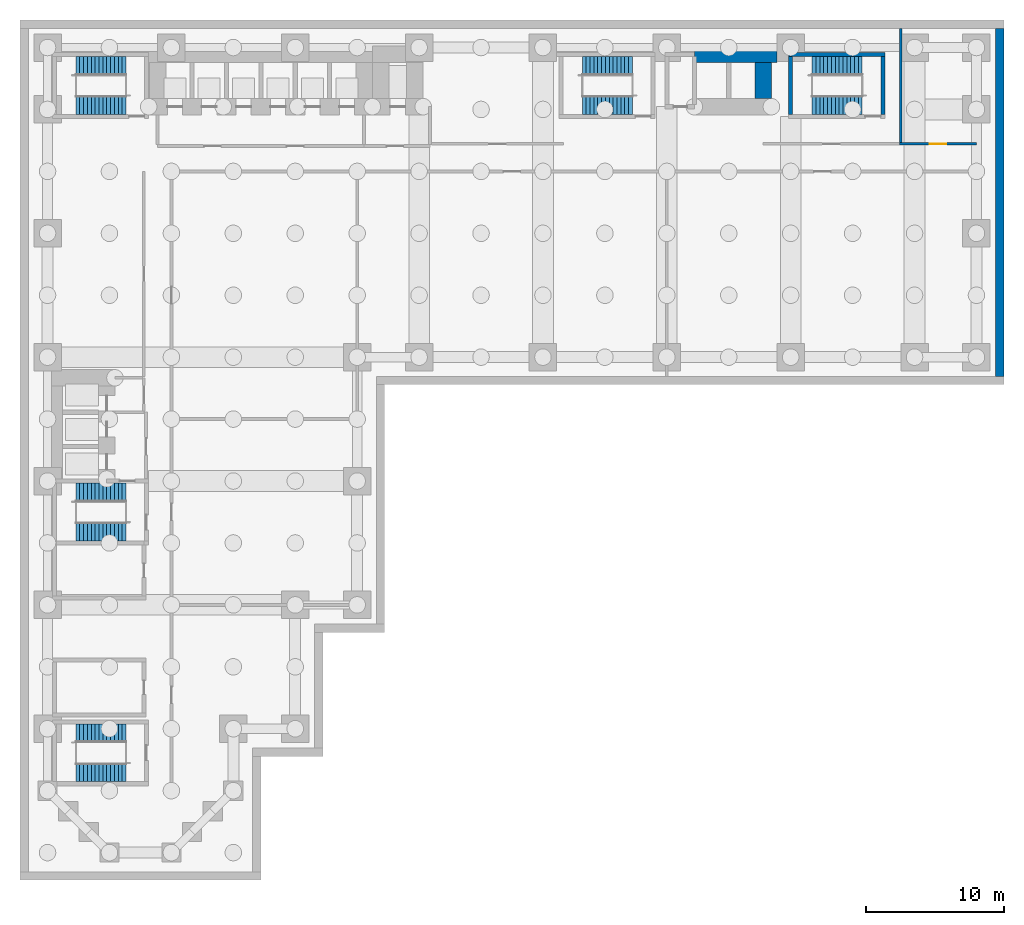
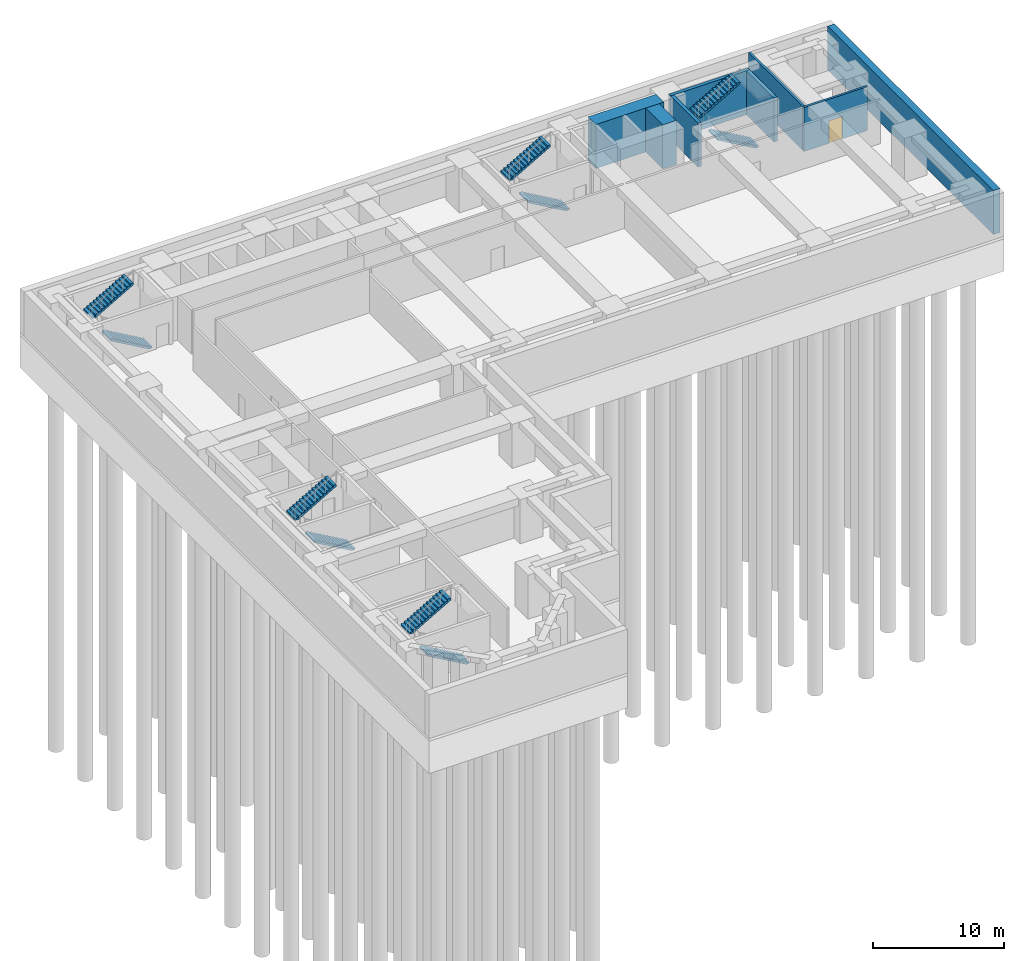
# One storey, part 5 of 7: 10 stair flights, 8 walls, 1 door, 1 opening, 5 elements without a shape of their own.
"""IFC4 building model written with IfcOpenShell, lengths in metres."""

from ifc_helpers import new_model, si_unit, direction, frame, frame_2d, origin, place, context, subcontext, project, spatial, polyline, rectangle, outline, extrude, material, layer, layer_set, type_object, element, fill, aggregate, save


model = new_model("IFC4")

# Units and contexts
model_context = context("Model", 3, precision=1e-05, world=origin(), true_north=direction((0.0, 1.0)))
body_context = subcontext(model_context, "Body", "Model", "MODEL_VIEW")
ifc_project = project(units=[si_unit("LENGTHUNIT", "METRE"), si_unit("AREAUNIT", "SQUARE_METRE"), si_unit("VOLUMEUNIT", "CUBIC_METRE"), si_unit("PLANEANGLEUNIT", "RADIAN"), si_unit("MASSUNIT", "GRAM", prefix="KILO")], contexts=[model_context])

# Site, building, storey
site_placement = place(None, origin())
site = spatial("IfcSite", under=ifc_project, at=site_placement, CompositionType="ELEMENT")
building_placement = place(site_placement, origin())
building = spatial("IfcBuilding", under=site, at=building_placement, Name="Firuza Court", CompositionType="ELEMENT")
storey_placement = place(building_placement, frame((0.0, 0.0, -9.0)))
storey = spatial("IfcBuildingStorey", under=building, at=storey_placement, Name="B2", CompositionType="ELEMENT", Elevation=-9.0)

# Walls
ifc_material_1 = material(Name="Concrete C35/45", Category="concrete")
ifc_layer_1 = layer(ifc_material_1, 1.199951171875)
ifc_layer_set_1 = layer_set([ifc_layer_1], Name="Concrete C35/45")
wall_type_1 = type_object("IfcWallType", Name="Basement core wall 1200", PredefinedType="SHEAR", material=ifc_layer_set_1)
wall_1_placement = place(storey_placement, frame((47.0, 58.0, 0.0), z_axis=(0.0, 0.0, 1.0), x_axis=(1.0, 0.0, 0.0)))
element("IfcWall", 1, at=wall_1_placement, inside=storey, type_object=wall_type_1, Name="Core wall B2 025", PredefinedType="SHEAR", context=body_context, shape_type="SweptSolid", body=[
    extrude(rectangle(XDim=6.0, YDim=1.199951171875, at=frame_2d((3.0, 0.0))), origin(), (0.0, 0.0, 1.0), 4.10009765625),
])
wall_2_placement = place(storey_placement, frame((52.0, 54.800048828125, 0.0), z_axis=(0.0, 0.0, 1.0), x_axis=(0.0, 1.0, 0.0)))
element("IfcWall", 2, at=wall_2_placement, inside=storey, type_object=wall_type_1, Name="Core wall B2 053", PredefinedType="SHEAR", context=body_context, shape_type="SweptSolid", body=[
    extrude(rectangle(XDim=2.599853515625, YDim=1.199951171875, at=frame_2d((1.2998046875, 0.0))), origin(), (0.0, 0.0, 1.0), 4.10009765625),
])
ifc_layer_2 = layer(ifc_material_1, 0.300048828125)
ifc_layer_set_2 = layer_set([ifc_layer_2], Name="Concrete C35/45")
wall_type_2 = type_object("IfcWallType", Name="Basement core wall 300", PredefinedType="SHEAR", material=ifc_layer_set_2)
wall_3_placement = place(storey_placement, frame((53.85009765625, 58.0, 0.0), z_axis=(0.0, 0.0, 1.0), x_axis=(1.0, 0.0, 0.0)))
element("IfcWall", 3, at=wall_3_placement, inside=storey, type_object=wall_type_2, Name="Core wall B2 026", PredefinedType="SHEAR", context=body_context, shape_type="SweptSolid", body=[
    extrude(rectangle(XDim=7.0, YDim=0.300048828125, at=frame_2d((3.5, 0.0))), origin(), (0.0, 0.0, 1.0), 4.10009765625),
])
for number, where, z_axis, x_axis, name in (
    (4, (54.0, 53.64990234375, 0.0), (0.0, 0.0, 1.0), (0.0, 1.0, 0.0), "Core wall B2 054"),
    (5, (60.699951171875, 53.64990234375, 0.0), (0.0, 0.0, 1.0), (0.0, 1.0, 0.0), "Core wall B2 055"),
):
    element("IfcWall", number, at=place(storey_placement, frame(where, z_axis=z_axis, x_axis=x_axis)), inside=storey, type_object=wall_type_2, Name=name, PredefinedType="SHEAR", context=body_context, shape_type="SweptSolid", body=[
        extrude(rectangle(XDim=4.2001953125, YDim=0.300048828125, at=frame_2d((2.10009765625, 0.0))), origin(), (0.0, 0.0, 1.0), 4.10009765625),
    ])

# Wall, opening, door
ifc_material_2 = material(Name="Blockwork, fire-rated", Category="masonry")
ifc_layer_3 = layer(ifc_material_2, 0.199951171875)
ifc_layer_set_3 = layer_set([ifc_layer_3], Name="Blockwork, fire-rated")
wall_type_3 = type_object("IfcWallType", Name="Plant room wall 200", PredefinedType="PARTITIONING", material=ifc_layer_set_3)
wall_4_placement = place(storey_placement, frame((67.5, 51.5, 0.0), z_axis=(0.0, 0.0, 1.0), x_axis=(-1.0, 0.0, 0.0)))
wall_4 = element("IfcWall", 6, at=wall_4_placement, inside=storey, type_object=wall_type_3, Name="Plant room wall 200 B2", PredefinedType="PARTITIONING", context=body_context, shape_type="SweptSolid", body=[
    extrude(rectangle(XDim=5.60009765625, YDim=0.199951171875, at=frame_2d((2.800048828125, 0.0))), origin(), (0.0, 0.0, 1.0), 4.10009765625),
])
opening_placement = place(wall_4_placement, frame((2.199951171875, 0.0, 0.0)))
opening = element("IfcOpeningElement", 7, at=opening_placement, cuts=wall_4, Name="Opening DB2023", PredefinedType="OPENING", context=body_context, shape_type="SweptSolid", body=[
    extrude(rectangle(XDim=1.199951171875, YDim=2.10009765625, at=frame_2d((0.60009765625, 1.050048828125))), frame((0.0, 0.11181640625, 0.0), z_axis=(0.0, -1.0, 0.0), x_axis=(1.0, 0.0, 0.0)), (0.0, 0.0, 1.0), 0.223876953125),
])
ifc_material_3 = material(Name="Timber door leaf in hardwood frame", Category="wood")
door_type = type_object("IfcDoorType", Name="Plant room door 1200", OperationType="SINGLE_SWING_LEFT", PredefinedType="DOOR", material=ifc_material_3)
door_placement = place(opening_placement, frame((1.199951171875, 0.0, 0.0), z_axis=(0.0, 0.0, 1.0), x_axis=(-1.0, 0.0, 0.0)))
door = element("IfcDoor", 8, at=door_placement, inside=storey, type_object=door_type, Name="Plant door", OperationType="SINGLE_SWING_LEFT", OverallHeight=2.10009765625, OverallWidth=1.199951171875, PredefinedType="DOOR", context=body_context, shape_type="SweptSolid", body=[
    extrude(rectangle(XDim=1.199951171875, YDim=2.10009765625, at=frame_2d((0.60009765625, 1.050048828125))), frame((0.0, 0.02490234375, 0.0), z_axis=(0.0, -1.0, 0.0), x_axis=(1.0, 0.0, 0.0)), (0.0, 0.0, 1.0), 0.050048828125),
])
fill(opening, door)

# Walls
wall_5_placement = place(storey_placement, frame((62.0, 59.89990234375, 0.0), z_axis=(0.0, 0.0, 1.0), x_axis=(0.0, -1.0, 0.0)))
element("IfcWall", 9, at=wall_5_placement, inside=storey, type_object=wall_type_3, Name="Plant room wall 200 B2", PredefinedType="PARTITIONING", context=body_context, shape_type="SweptSolid", body=[
    extrude(rectangle(XDim=8.2998046875, YDim=0.199951171875, at=frame_2d((4.14990234375, 0.0))), origin(), (0.0, 0.0, 1.0), 4.10009765625),
])
ifc_layer_4 = layer(ifc_material_1, 0.60009765625)
ifc_layer_set_4 = layer_set([ifc_layer_4], Name="Concrete C35/45")
wall_type_4 = type_object("IfcWallType", Name="Retaining wall 600", PredefinedType="SOLIDWALL", material=ifc_layer_set_4)
wall_6_placement = place(storey_placement, frame((69.199951171875, 59.89990234375, 0.0), z_axis=(0.0, 0.0, 1.0), x_axis=(0.0, -1.0, 0.0)))
element("IfcWall", 10, at=wall_6_placement, inside=storey, type_object=wall_type_4, Name="Basement retaining wall B2 03", PredefinedType="SOLIDWALL", context=body_context, shape_type="SweptSolid", body=[
    extrude(rectangle(XDim=25.2998046875, YDim=0.60009765625, at=frame_2d((12.64990234375, 0.0))), origin(), (0.0, 0.0, 1.0), 4.10009765625),
])

# Stair, stair flights
ifc_material_4 = material(Name="Concrete C40/50 precast", Category="concrete")
stair_type = type_object("IfcStairType", Name="Stair 1350 x 4500 2 flights", PredefinedType="HALF_TURN_STAIR", material=ifc_material_4)
stair_1_placement = place(storey_placement, origin())
stair_1 = element("IfcStair", 11, at=stair_1_placement, inside=storey, type_object=stair_type, Name="Stair 1 B2", PredefinedType="HALF_TURN_STAIR")
ifc_material_5 = material(Name="Concrete C40/50 precast", Category="concrete")
stair_flight_type = type_object("IfcStairFlightType", Name="Flight 1350 riser 160.7", PredefinedType="STRAIGHT", material=ifc_material_5)
stair_flight_1_placement = place(storey_placement, frame((42.5, 54.324951171875, 0.0), z_axis=(0.0, 0.0, 1.0), x_axis=(-1.0, 0.0, 0.0)))
stair_flight_1 = element("IfcStairFlight", 12, at=stair_flight_1_placement, type_object=stair_flight_type, Name="S1 flight 1", NumberOfRisers=14, NumberOfTreads=13, PredefinedType="STRAIGHT", RiserHeight=0.160714286, TreadLength=0.28, context=body_context, shape_type="SweptSolid", body=[
    extrude(outline(polyline([(0.0, 0.0), (0.0, 0.16064453125), (0.280029296875, 0.16064453125), (0.280029296875, 0.321533203125), (0.56005859375, 0.321533203125), (0.56005859375, 0.482177734375), (0.840087890625, 0.482177734375), (0.840087890625, 0.642822265625), (1.1201171875, 0.642822265625), (1.1201171875, 0.803466796875), (1.39990234375, 0.803466796875), (1.39990234375, 0.96435546875), (1.679931640625, 0.96435546875), (1.679931640625, 1.125), (1.9599609375, 1.125), (1.9599609375, 1.28564453125), (2.239990234375, 1.28564453125), (2.239990234375, 1.446533203125), (2.52001953125, 1.446533203125), (2.52001953125, 1.607177734375), (2.800048828125, 1.607177734375), (2.800048828125, 1.767822265625), (3.080078125, 1.767822265625), (3.080078125, 1.928466796875), (3.360107421875, 1.928466796875), (3.360107421875, 2.08935546875), (3.639892578125, 2.08935546875), (3.639892578125, 2.25), (3.639892578125, 1.91650390625), (0.301025390625, 0.0), (0.0, 0.0)])), frame((0.0, 0.675048828125, 0.0), z_axis=(0.0, -1.0, 0.0), x_axis=(1.0, 0.0, 0.0)), (0.0, 0.0, 1.0), 1.35009765625),
])
stair_flight_2_placement = place(storey_placement, frame((38.860107421875, 57.175048828125, 2.25), z_axis=(0.0, 0.0, 1.0), x_axis=(1.0, 0.0, 0.0)))
stair_flight_2 = element("IfcStairFlight", 13, at=stair_flight_2_placement, type_object=stair_flight_type, Name="S1 flight 2", NumberOfRisers=14, NumberOfTreads=13, PredefinedType="STRAIGHT", RiserHeight=0.160714286, TreadLength=0.28, context=body_context, shape_type="SweptSolid", body=[
    extrude(outline(polyline([(0.0, 0.0), (0.0, 0.16064453125), (0.280029296875, 0.16064453125), (0.280029296875, 0.321533203125), (0.56005859375, 0.321533203125), (0.56005859375, 0.482177734375), (0.840087890625, 0.482177734375), (0.840087890625, 0.642822265625), (1.1201171875, 0.642822265625), (1.1201171875, 0.803466796875), (1.39990234375, 0.803466796875), (1.39990234375, 0.96435546875), (1.679931640625, 0.96435546875), (1.679931640625, 1.125), (1.9599609375, 1.125), (1.9599609375, 1.28564453125), (2.239990234375, 1.28564453125), (2.239990234375, 1.446533203125), (2.52001953125, 1.446533203125), (2.52001953125, 1.607177734375), (2.800048828125, 1.607177734375), (2.800048828125, 1.767822265625), (3.080078125, 1.767822265625), (3.080078125, 1.928466796875), (3.360107421875, 1.928466796875), (3.360107421875, 2.08935546875), (3.639892578125, 2.08935546875), (3.639892578125, 2.25), (3.639892578125, 1.91650390625), (0.301025390625, 0.0), (0.0, 0.0)])), frame((0.0, 0.675048828125, 0.0), z_axis=(0.0, -1.0, 0.0), x_axis=(1.0, 0.0, 0.0)), (0.0, 0.0, 1.0), 1.35009765625),
])
aggregate(stair_1, [stair_flight_1, stair_flight_2])

stair_2_placement = place(storey_placement, origin())
stair_2 = element("IfcStair", 14, at=stair_2_placement, inside=storey, type_object=stair_type, Name="Stair 2 B2", PredefinedType="HALF_TURN_STAIR")
stair_flight_3_placement = place(storey_placement, frame((5.699951171875, 23.324951171875, 0.0), z_axis=(0.0, 0.0, 1.0), x_axis=(-1.0, 0.0, 0.0)))
stair_flight_3 = element("IfcStairFlight", 15, at=stair_flight_3_placement, type_object=stair_flight_type, Name="S2 flight 1", NumberOfRisers=14, NumberOfTreads=13, PredefinedType="STRAIGHT", RiserHeight=0.160714286, TreadLength=0.28, context=body_context, shape_type="SweptSolid", body=[
    extrude(outline(polyline([(0.0, 0.0), (0.0, 0.16064453125), (0.280029296875, 0.16064453125), (0.280029296875, 0.321533203125), (0.56005859375, 0.321533203125), (0.56005859375, 0.482177734375), (0.840087890625, 0.482177734375), (0.840087890625, 0.642822265625), (1.1201171875, 0.642822265625), (1.1201171875, 0.803466796875), (1.39990234375, 0.803466796875), (1.39990234375, 0.96435546875), (1.679931640625, 0.96435546875), (1.679931640625, 1.125), (1.9599609375, 1.125), (1.9599609375, 1.28564453125), (2.239990234375, 1.28564453125), (2.239990234375, 1.446533203125), (2.52001953125, 1.446533203125), (2.52001953125, 1.607177734375), (2.800048828125, 1.607177734375), (2.800048828125, 1.767822265625), (3.080078125, 1.767822265625), (3.080078125, 1.928466796875), (3.360107421875, 1.928466796875), (3.360107421875, 2.08935546875), (3.639892578125, 2.08935546875), (3.639892578125, 2.25), (3.639892578125, 1.91650390625), (0.301025390625, 0.0), (0.0, 0.0)])), frame((0.0, 0.675048828125, 0.0), z_axis=(0.0, -1.0, 0.0), x_axis=(1.0, 0.0, 0.0)), (0.0, 0.0, 1.0), 1.35009765625),
])
stair_flight_4_placement = place(storey_placement, frame((2.06005859375, 26.175048828125, 2.25), z_axis=(0.0, 0.0, 1.0), x_axis=(1.0, 0.0, 0.0)))
stair_flight_4 = element("IfcStairFlight", 16, at=stair_flight_4_placement, type_object=stair_flight_type, Name="S2 flight 2", NumberOfRisers=14, NumberOfTreads=13, PredefinedType="STRAIGHT", RiserHeight=0.160714286, TreadLength=0.28, context=body_context, shape_type="SweptSolid", body=[
    extrude(outline(polyline([(0.0, 0.0), (0.0, 0.16064453125), (0.280029296875, 0.16064453125), (0.280029296875, 0.321533203125), (0.56005859375, 0.321533203125), (0.56005859375, 0.482177734375), (0.840087890625, 0.482177734375), (0.840087890625, 0.642822265625), (1.1201171875, 0.642822265625), (1.1201171875, 0.803466796875), (1.39990234375, 0.803466796875), (1.39990234375, 0.96435546875), (1.679931640625, 0.96435546875), (1.679931640625, 1.125), (1.9599609375, 1.125), (1.9599609375, 1.28564453125), (2.239990234375, 1.28564453125), (2.239990234375, 1.446533203125), (2.52001953125, 1.446533203125), (2.52001953125, 1.607177734375), (2.800048828125, 1.607177734375), (2.800048828125, 1.767822265625), (3.080078125, 1.767822265625), (3.080078125, 1.928466796875), (3.360107421875, 1.928466796875), (3.360107421875, 2.08935546875), (3.639892578125, 2.08935546875), (3.639892578125, 2.25), (3.639892578125, 1.91650390625), (0.301025390625, 0.0), (0.0, 0.0)])), frame((0.0, 0.675048828125, 0.0), z_axis=(0.0, -1.0, 0.0), x_axis=(1.0, 0.0, 0.0)), (0.0, 0.0, 1.0), 1.35009765625),
])
aggregate(stair_2, [stair_flight_3, stair_flight_4])

stair_3_placement = place(storey_placement, origin())
stair_3 = element("IfcStair", 17, at=stair_3_placement, inside=storey, type_object=stair_type, Name="Stair 3 B2", PredefinedType="HALF_TURN_STAIR")
stair_flight_5_placement = place(storey_placement, frame((5.699951171875, 54.324951171875, 0.0), z_axis=(0.0, 0.0, 1.0), x_axis=(-1.0, 0.0, 0.0)))
stair_flight_5 = element("IfcStairFlight", 18, at=stair_flight_5_placement, type_object=stair_flight_type, Name="S3 flight 1", NumberOfRisers=14, NumberOfTreads=13, PredefinedType="STRAIGHT", RiserHeight=0.160714286, TreadLength=0.28, context=body_context, shape_type="SweptSolid", body=[
    extrude(outline(polyline([(0.0, 0.0), (0.0, 0.16064453125), (0.280029296875, 0.16064453125), (0.280029296875, 0.321533203125), (0.56005859375, 0.321533203125), (0.56005859375, 0.482177734375), (0.840087890625, 0.482177734375), (0.840087890625, 0.642822265625), (1.1201171875, 0.642822265625), (1.1201171875, 0.803466796875), (1.39990234375, 0.803466796875), (1.39990234375, 0.96435546875), (1.679931640625, 0.96435546875), (1.679931640625, 1.125), (1.9599609375, 1.125), (1.9599609375, 1.28564453125), (2.239990234375, 1.28564453125), (2.239990234375, 1.446533203125), (2.52001953125, 1.446533203125), (2.52001953125, 1.607177734375), (2.800048828125, 1.607177734375), (2.800048828125, 1.767822265625), (3.080078125, 1.767822265625), (3.080078125, 1.928466796875), (3.360107421875, 1.928466796875), (3.360107421875, 2.08935546875), (3.639892578125, 2.08935546875), (3.639892578125, 2.25), (3.639892578125, 1.91650390625), (0.301025390625, 0.0), (0.0, 0.0)])), frame((0.0, 0.675048828125, 0.0), z_axis=(0.0, -1.0, 0.0), x_axis=(1.0, 0.0, 0.0)), (0.0, 0.0, 1.0), 1.35009765625),
])
stair_flight_6_placement = place(storey_placement, frame((2.06005859375, 57.175048828125, 2.25), z_axis=(0.0, 0.0, 1.0), x_axis=(1.0, 0.0, 0.0)))
stair_flight_6 = element("IfcStairFlight", 19, at=stair_flight_6_placement, type_object=stair_flight_type, Name="S3 flight 2", NumberOfRisers=14, NumberOfTreads=13, PredefinedType="STRAIGHT", RiserHeight=0.160714286, TreadLength=0.28, context=body_context, shape_type="SweptSolid", body=[
    extrude(outline(polyline([(0.0, 0.0), (0.0, 0.16064453125), (0.280029296875, 0.16064453125), (0.280029296875, 0.321533203125), (0.56005859375, 0.321533203125), (0.56005859375, 0.482177734375), (0.840087890625, 0.482177734375), (0.840087890625, 0.642822265625), (1.1201171875, 0.642822265625), (1.1201171875, 0.803466796875), (1.39990234375, 0.803466796875), (1.39990234375, 0.96435546875), (1.679931640625, 0.96435546875), (1.679931640625, 1.125), (1.9599609375, 1.125), (1.9599609375, 1.28564453125), (2.239990234375, 1.28564453125), (2.239990234375, 1.446533203125), (2.52001953125, 1.446533203125), (2.52001953125, 1.607177734375), (2.800048828125, 1.607177734375), (2.800048828125, 1.767822265625), (3.080078125, 1.767822265625), (3.080078125, 1.928466796875), (3.360107421875, 1.928466796875), (3.360107421875, 2.08935546875), (3.639892578125, 2.08935546875), (3.639892578125, 2.25), (3.639892578125, 1.91650390625), (0.301025390625, 0.0), (0.0, 0.0)])), frame((0.0, 0.675048828125, 0.0), z_axis=(0.0, -1.0, 0.0), x_axis=(1.0, 0.0, 0.0)), (0.0, 0.0, 1.0), 1.35009765625),
])
aggregate(stair_3, [stair_flight_5, stair_flight_6])

stair_4_placement = place(storey_placement, origin())
stair_4 = element("IfcStair", 20, at=stair_4_placement, inside=storey, type_object=stair_type, Name="Stair 4 B2", PredefinedType="HALF_TURN_STAIR")
stair_flight_7_placement = place(storey_placement, frame((59.199951171875, 54.324951171875, 0.0), z_axis=(0.0, 0.0, 1.0), x_axis=(-1.0, 0.0, 0.0)))
stair_flight_7 = element("IfcStairFlight", 21, at=stair_flight_7_placement, type_object=stair_flight_type, Name="S4 flight 1", NumberOfRisers=14, NumberOfTreads=13, PredefinedType="STRAIGHT", RiserHeight=0.160714286, TreadLength=0.28, context=body_context, shape_type="SweptSolid", body=[
    extrude(outline(polyline([(0.0, 0.0), (0.0, 0.16064453125), (0.280029296875, 0.16064453125), (0.280029296875, 0.321533203125), (0.56005859375, 0.321533203125), (0.56005859375, 0.482177734375), (0.840087890625, 0.482177734375), (0.840087890625, 0.642822265625), (1.1201171875, 0.642822265625), (1.1201171875, 0.803466796875), (1.39990234375, 0.803466796875), (1.39990234375, 0.96435546875), (1.679931640625, 0.96435546875), (1.679931640625, 1.125), (1.9599609375, 1.125), (1.9599609375, 1.28564453125), (2.239990234375, 1.28564453125), (2.239990234375, 1.446533203125), (2.52001953125, 1.446533203125), (2.52001953125, 1.607177734375), (2.800048828125, 1.607177734375), (2.800048828125, 1.767822265625), (3.080078125, 1.767822265625), (3.080078125, 1.928466796875), (3.360107421875, 1.928466796875), (3.360107421875, 2.08935546875), (3.639892578125, 2.08935546875), (3.639892578125, 2.25), (3.639892578125, 1.91650390625), (0.301025390625, 0.0), (0.0, 0.0)])), frame((0.0, 0.675048828125, 0.0), z_axis=(0.0, -1.0, 0.0), x_axis=(1.0, 0.0, 0.0)), (0.0, 0.0, 1.0), 1.35009765625),
])
stair_flight_8_placement = place(storey_placement, frame((55.56005859375, 57.175048828125, 2.25), z_axis=(0.0, 0.0, 1.0), x_axis=(1.0, 0.0, 0.0)))
stair_flight_8 = element("IfcStairFlight", 22, at=stair_flight_8_placement, type_object=stair_flight_type, Name="S4 flight 2", NumberOfRisers=14, NumberOfTreads=13, PredefinedType="STRAIGHT", RiserHeight=0.160714286, TreadLength=0.28, context=body_context, shape_type="SweptSolid", body=[
    extrude(outline(polyline([(0.0, 0.0), (0.0, 0.16064453125), (0.280029296875, 0.16064453125), (0.280029296875, 0.321533203125), (0.56005859375, 0.321533203125), (0.56005859375, 0.482177734375), (0.840087890625, 0.482177734375), (0.840087890625, 0.642822265625), (1.1201171875, 0.642822265625), (1.1201171875, 0.803466796875), (1.39990234375, 0.803466796875), (1.39990234375, 0.96435546875), (1.679931640625, 0.96435546875), (1.679931640625, 1.125), (1.9599609375, 1.125), (1.9599609375, 1.28564453125), (2.239990234375, 1.28564453125), (2.239990234375, 1.446533203125), (2.52001953125, 1.446533203125), (2.52001953125, 1.607177734375), (2.800048828125, 1.607177734375), (2.800048828125, 1.767822265625), (3.080078125, 1.767822265625), (3.080078125, 1.928466796875), (3.360107421875, 1.928466796875), (3.360107421875, 2.08935546875), (3.639892578125, 2.08935546875), (3.639892578125, 2.25), (3.639892578125, 1.91650390625), (0.301025390625, 0.0), (0.0, 0.0)])), frame((0.0, 0.675048828125, 0.0), z_axis=(0.0, -1.0, 0.0), x_axis=(1.0, 0.0, 0.0)), (0.0, 0.0, 1.0), 1.35009765625),
])
aggregate(stair_4, [stair_flight_7, stair_flight_8])

stair_5_placement = place(storey_placement, origin())
stair_5 = element("IfcStair", 23, at=stair_5_placement, inside=storey, type_object=stair_type, Name="Stair 5 B2", PredefinedType="HALF_TURN_STAIR")
stair_flight_9_placement = place(storey_placement, frame((5.699951171875, 5.824951171875, 0.0), z_axis=(0.0, 0.0, 1.0), x_axis=(-1.0, 0.0, 0.0)))
stair_flight_9 = element("IfcStairFlight", 24, at=stair_flight_9_placement, type_object=stair_flight_type, Name="S5 flight 1", NumberOfRisers=14, NumberOfTreads=13, PredefinedType="STRAIGHT", RiserHeight=0.160714286, TreadLength=0.28, context=body_context, shape_type="SweptSolid", body=[
    extrude(outline(polyline([(0.0, 0.0), (0.0, 0.16064453125), (0.280029296875, 0.16064453125), (0.280029296875, 0.321533203125), (0.56005859375, 0.321533203125), (0.56005859375, 0.482177734375), (0.840087890625, 0.482177734375), (0.840087890625, 0.642822265625), (1.1201171875, 0.642822265625), (1.1201171875, 0.803466796875), (1.39990234375, 0.803466796875), (1.39990234375, 0.96435546875), (1.679931640625, 0.96435546875), (1.679931640625, 1.125), (1.9599609375, 1.125), (1.9599609375, 1.28564453125), (2.239990234375, 1.28564453125), (2.239990234375, 1.446533203125), (2.52001953125, 1.446533203125), (2.52001953125, 1.607177734375), (2.800048828125, 1.607177734375), (2.800048828125, 1.767822265625), (3.080078125, 1.767822265625), (3.080078125, 1.928466796875), (3.360107421875, 1.928466796875), (3.360107421875, 2.08935546875), (3.639892578125, 2.08935546875), (3.639892578125, 2.25), (3.639892578125, 1.91650390625), (0.301025390625, 0.0), (0.0, 0.0)])), frame((0.0, 0.675048828125, 0.0), z_axis=(0.0, -1.0, 0.0), x_axis=(1.0, 0.0, 0.0)), (0.0, 0.0, 1.0), 1.35009765625),
])
stair_flight_10_placement = place(storey_placement, frame((2.06005859375, 8.675048828125, 2.25), z_axis=(0.0, 0.0, 1.0), x_axis=(1.0, 0.0, 0.0)))
stair_flight_10 = element("IfcStairFlight", 25, at=stair_flight_10_placement, type_object=stair_flight_type, Name="S5 flight 2", NumberOfRisers=14, NumberOfTreads=13, PredefinedType="STRAIGHT", RiserHeight=0.160714286, TreadLength=0.28, context=body_context, shape_type="SweptSolid", body=[
    extrude(outline(polyline([(0.0, 0.0), (0.0, 0.16064453125), (0.280029296875, 0.16064453125), (0.280029296875, 0.321533203125), (0.56005859375, 0.321533203125), (0.56005859375, 0.482177734375), (0.840087890625, 0.482177734375), (0.840087890625, 0.642822265625), (1.1201171875, 0.642822265625), (1.1201171875, 0.803466796875), (1.39990234375, 0.803466796875), (1.39990234375, 0.96435546875), (1.679931640625, 0.96435546875), (1.679931640625, 1.125), (1.9599609375, 1.125), (1.9599609375, 1.28564453125), (2.239990234375, 1.28564453125), (2.239990234375, 1.446533203125), (2.52001953125, 1.446533203125), (2.52001953125, 1.607177734375), (2.800048828125, 1.607177734375), (2.800048828125, 1.767822265625), (3.080078125, 1.767822265625), (3.080078125, 1.928466796875), (3.360107421875, 1.928466796875), (3.360107421875, 2.08935546875), (3.639892578125, 2.08935546875), (3.639892578125, 2.25), (3.639892578125, 1.91650390625), (0.301025390625, 0.0), (0.0, 0.0)])), frame((0.0, 0.675048828125, 0.0), z_axis=(0.0, -1.0, 0.0), x_axis=(1.0, 0.0, 0.0)), (0.0, 0.0, 1.0), 1.35009765625),
])
aggregate(stair_5, [stair_flight_9, stair_flight_10])

save(model, "model.ifc")
